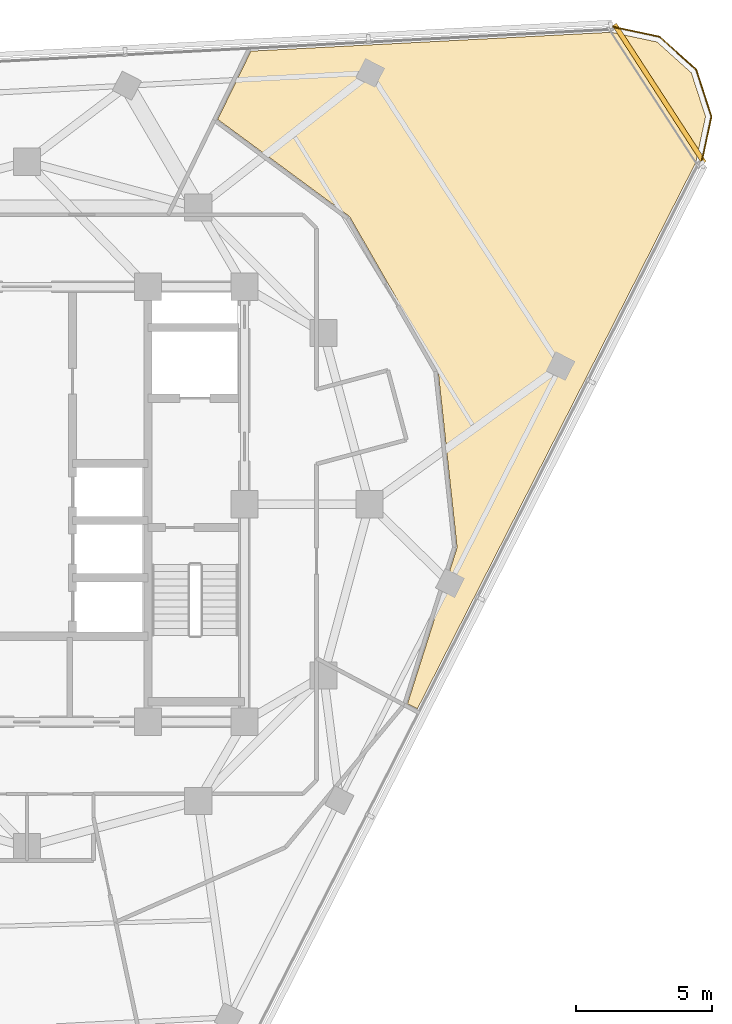
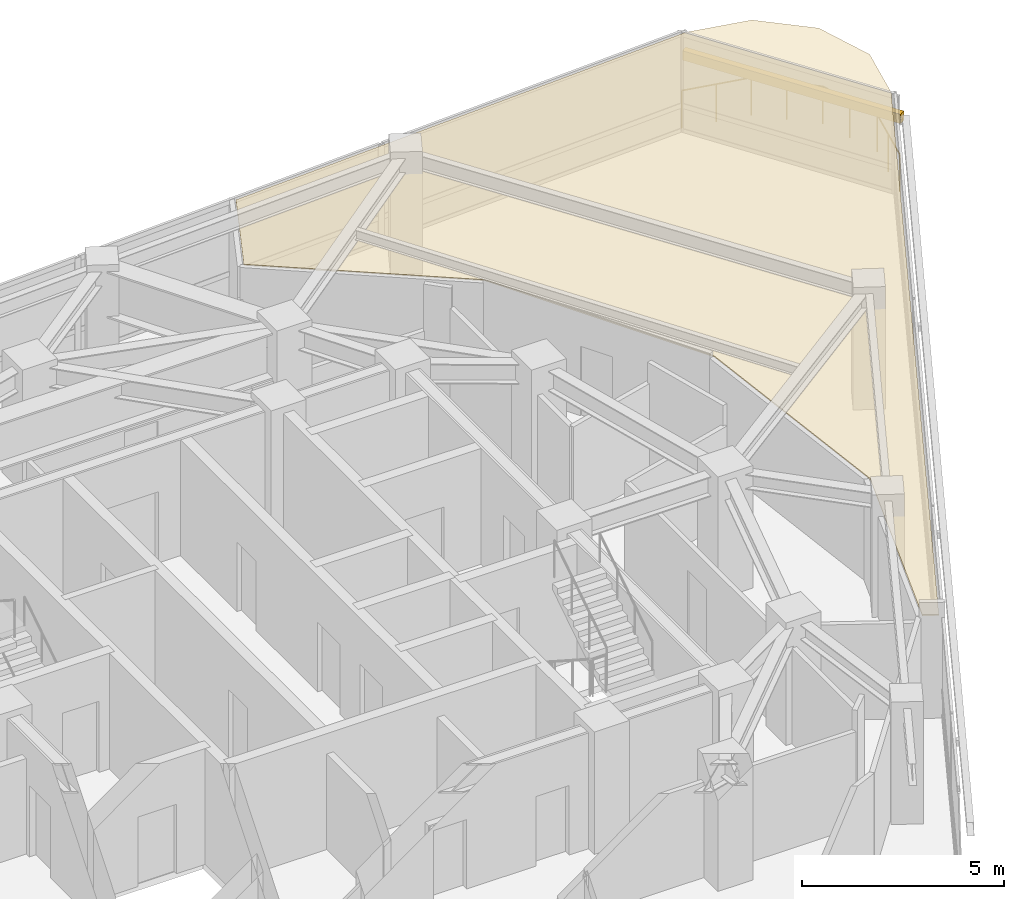
# One storey, part 15 of 15: 1 covering, 1 railing, 1 shading device.
"""IFC4 building model written with IfcOpenShell, lengths in metres."""

from ifc_helpers import new_model, si_unit, direction, frame, origin, origin_2d, place, context, subcontext, project, spatial, polyline, rectangle, circle, outline, extrude, material, layer, layer_set, type_object, element, save


model = new_model("IFC4")

# Units and contexts
model_context = context("Model", 3, precision=1e-05, world=origin(), true_north=direction((0.0, 1.0)))
body_context = subcontext(model_context, "Body", "Model", "MODEL_VIEW")
ifc_project = project(units=[si_unit("LENGTHUNIT", "METRE"), si_unit("AREAUNIT", "SQUARE_METRE"), si_unit("VOLUMEUNIT", "CUBIC_METRE"), si_unit("PLANEANGLEUNIT", "RADIAN"), si_unit("MASSUNIT", "GRAM", prefix="KILO")], contexts=[model_context])

# Site, building, storey
site_placement = place(None, origin())
site = spatial("IfcSite", under=ifc_project, at=site_placement, CompositionType="ELEMENT")
building_placement = place(site_placement, origin())
building = spatial("IfcBuilding", under=site, at=building_placement, Name="Terralouvre Media Tower", CompositionType="ELEMENT")
storey_placement = place(building_placement, frame((0.0, 0.0, 267.0)))
storey = spatial("IfcBuildingStorey", under=building, at=storey_placement, Name="L69", CompositionType="ELEMENT", Elevation=267.0)

# Covering
ifc_material_1 = material(Name="Perforated aluminium acoustic ceiling baffle", Category="aluminium")
ifc_layer_1 = layer(ifc_material_1, 0.0400390625, Name="Perforated Acoustic Metal Tile Ceiling CL-AC1")
ifc_layer_set_1 = layer_set([ifc_layer_1], Name="Perforated aluminium acoustic ceiling baffle")
covering_type = type_object("IfcCoveringType", Name="Perforated Acoustic Metal Tile Ceiling CL-AC1", PredefinedType="CEILING", material=ifc_layer_set_1)
covering_placement = place(storey_placement, frame((0.0, 0.0, 2.97998046875), z_axis=(0.0, 0.0, 1.0), x_axis=(0.45399049974, 0.891006524188, 0.0)))
element("IfcCovering", 1, at=covering_placement, inside=storey, type_object=covering_type, Name="L69 Breaking Desk Editorial Office 6 Acoustic Ceiling", PredefinedType="CEILING", context=body_context, shape_type="SweptSolid", body=[
    extrude(outline(polyline([(14.824462890625, -5.742919921875), (14.822265625, -5.753173828125), (14.819091796875, -5.762939453125), (14.81494140625, -5.7724609375), (14.8095703125, -5.781494140625), (11.255859375, -11.227294921875), (11.249755859375, -11.23583984375), (11.24267578125, -11.243408203125), (11.235107421875, -11.25048828125), (11.2265625, -11.256591796875), (5.781494140625, -14.809814453125), (5.7724609375, -14.815185546875), (5.762939453125, -14.8193359375), (5.753173828125, -14.822509765625), (5.742919921875, -14.824951171875), (-0.176025390625, -15.801513671875), (-0.182861328125, -16.212158203125), (22.371337890625, -16.212646484375), (24.036376953125, -15.766845703125), (25.234130859375, -14.569091796875), (25.672119140625, -12.9326171875), (25.226318359375, -11.267578125), (18.591552734375, 0.224853515625), (15.8017578125, 0.175537109375), (14.824462890625, -5.742919921875)])), origin(), (0.0, 0.0, 1.0), 0.0400390625),
])

# Railing
ifc_material_2 = material(Name="Stainless steel 316 handrail and balustrade", Category="steel")
ifc_layer_2 = layer(ifc_material_2, 0.06005859375, Name="Roof Edge Safety Guardrail GR-ROOF1")
ifc_layer_set_2 = layer_set([ifc_layer_2], Name="Stainless steel 316 handrail and balustrade")
railing_type = type_object("IfcRailingType", Name="Roof Edge Safety Guardrail GR-ROOF1", PredefinedType="GUARDRAIL", material=ifc_layer_set_2)
railing_placement = place(storey_placement, frame((24.797607421875, 12.491455078125, 0.0)))
element("IfcRailing", 2, at=railing_placement, inside=storey, type_object=railing_type, Name="L69 Wind-Corner Perimeter Safety Guardrail C1", PredefinedType="GUARDRAIL", context=body_context, shape_type="SweptSolid", body=[
    extrude(circle(Radius=0.02099609375, at=origin_2d()), frame((0.0, 0.0, 1.12890625), z_axis=(0.208129595218, 0.978101258354, 0.0), x_axis=(-0.978101258354, 0.208129595218, 0.0)), (0.0, 0.0, 1.0), 1.81103515625),
    extrude(circle(Radius=0.02099609375, at=origin_2d()), frame((0.376953125, 1.771484375, 1.12890625), z_axis=(-0.308857436997, 0.951108344833, 0.0), x_axis=(-0.951108344833, -0.308857436997, 0.0)), (0.0, 0.0, 1.0), 1.81103515625),
    extrude(circle(Radius=0.02099609375, at=origin_2d()), frame((-0.182373046875, 3.493896484375, 1.12890625), z_axis=(-0.743274034333, 0.668987077518, 0.0), x_axis=(-0.668987077518, -0.743274034333, 0.0)), (0.0, 0.0, 1.0), 1.810791015625),
    extrude(circle(Radius=0.02099609375, at=origin_2d()), frame((-1.5283203125, 4.705322265625, 1.12890625), z_axis=(-0.97818932942, 0.207715275821, 0.0), x_axis=(-0.207715275821, -0.97818932942, 0.0)), (0.0, 0.0, 1.0), 1.811279296875),
    extrude(circle(Radius=0.01904296875, at=origin_2d()), origin(), (0.0, 0.0, 1.0), 1.10791015625),
    extrude(circle(Radius=0.01904296875, at=origin_2d()), frame((0.1884765625, 0.8857421875, 0.0)), (0.0, 0.0, 1.0), 1.10791015625),
    extrude(circle(Radius=0.01904296875, at=origin_2d()), frame((0.376953125, 1.771484375, 0.0)), (0.0, 0.0, 1.0), 1.10791015625),
    extrude(circle(Radius=0.01904296875, at=origin_2d()), frame((0.09716796875, 2.6328125, 0.0)), (0.0, 0.0, 1.0), 1.10791015625),
    extrude(circle(Radius=0.01904296875, at=origin_2d()), frame((-0.182373046875, 3.493896484375, 0.0)), (0.0, 0.0, 1.0), 1.10791015625),
    extrude(circle(Radius=0.01904296875, at=origin_2d()), frame((-0.85546875, 4.099609375, 0.0)), (0.0, 0.0, 1.0), 1.10791015625),
    extrude(circle(Radius=0.01904296875, at=origin_2d()), frame((-1.5283203125, 4.705322265625, 0.0)), (0.0, 0.0, 1.0), 1.10791015625),
    extrude(circle(Radius=0.01904296875, at=origin_2d()), frame((-2.4140625, 4.8935546875, 0.0)), (0.0, 0.0, 1.0), 1.10791015625),
    extrude(circle(Radius=0.01904296875, at=origin_2d()), frame((-3.300048828125, 5.08154296875, 0.0)), (0.0, 0.0, 1.0), 1.10791015625),
])

# Shading device
ifc_material_3 = material(Name="Extruded terracotta baguette sunshade louvres", Category="masonry")
shading_device_type = type_object("IfcShadingDeviceType", Name="Terracotta Baguette Sunshade Louvre Screen TB-LV1", PredefinedType="USERDEFINED", material=ifc_material_3)
shading_device_placement = place(storey_placement, frame((23.2607421875, 15.105712890625, 2.02392578125), z_axis=(0.0, 0.0, 1.0), x_axis=(-0.544639197097, 0.838670462688, 0.0)))
element("IfcShadingDevice", 3, at=shading_device_placement, inside=storey, type_object=shading_device_type, Name="CW-L69-C1 Terracotta Baguette Sunshade Louvre", ObjectType="BAGUETTE", PredefinedType="USERDEFINED", context=body_context, shape_type="SweptSolid", body=[
    extrude(rectangle(XDim=6.062255859375, YDim=0.179931640625, at=origin_2d()), origin(), (0.0, 0.0, 1.0), 0.280029296875),
])

save(model, "model.ifc")
